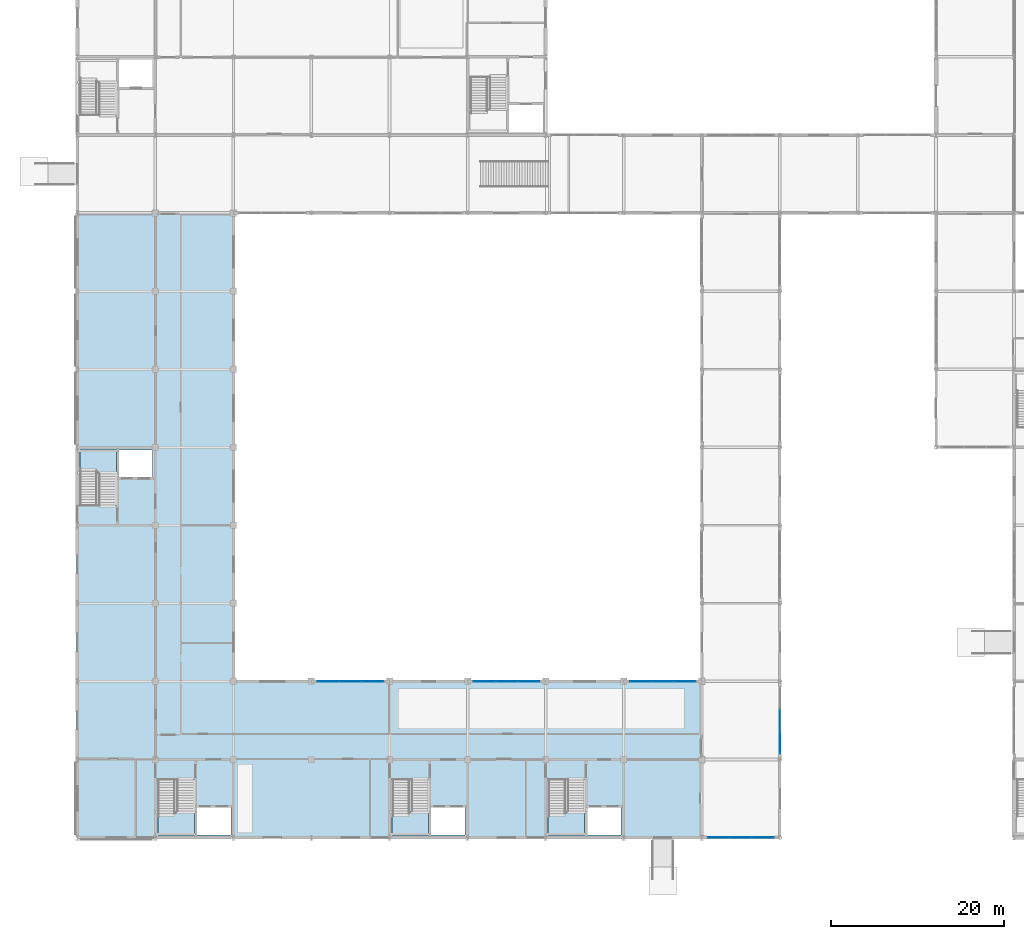
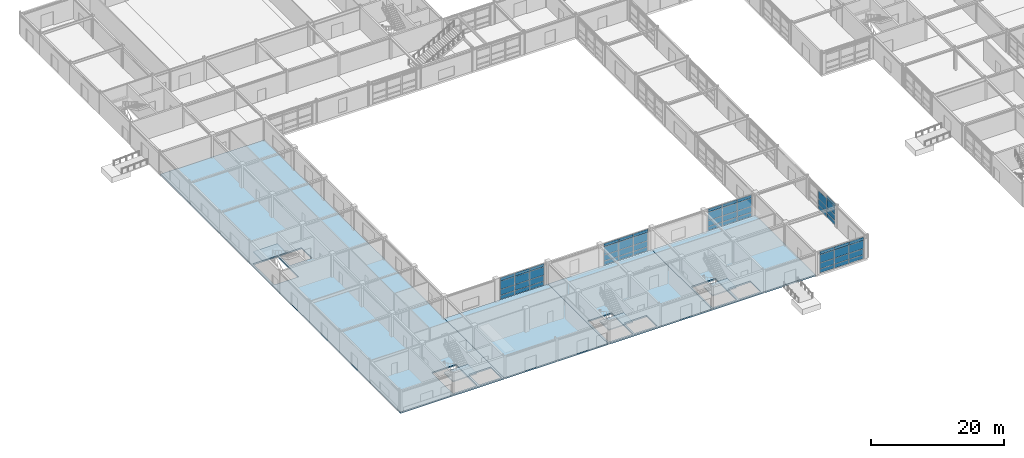
# One storey, part 46 of 72: 55 plates, 8 slabs, 5 elements without a shape of their own.
"""IFC4 building model written with IfcOpenShell, lengths in metres."""

from ifc_helpers import new_model, si_unit, direction, frame, origin, origin_2d, place, context, subcontext, project, spatial, polyline, rectangle, outline, extrude, material, layer, layer_set, type_object, element, aggregate, save


model = new_model("IFC4")

# Units and contexts
model_context = context("Model", 3, precision=1e-05, world=origin(), true_north=direction((0.0, 1.0)))
body_context = subcontext(model_context, "Body", "Model", "MODEL_VIEW")
ifc_project = project(units=[si_unit("LENGTHUNIT", "METRE"), si_unit("AREAUNIT", "SQUARE_METRE"), si_unit("VOLUMEUNIT", "CUBIC_METRE"), si_unit("PLANEANGLEUNIT", "RADIAN"), si_unit("MASSUNIT", "GRAM", prefix="KILO")], contexts=[model_context])

# Site, building, storey
site_placement = place(None, origin())
site = spatial("IfcSite", under=ifc_project, at=site_placement, CompositionType="ELEMENT")
building_placement = place(site_placement, origin())
building = spatial("IfcBuilding", under=site, at=building_placement, Name="Palais des Congres Ocreval", CompositionType="ELEMENT")
storey_placement = place(building_placement, origin())
storey = spatial("IfcBuildingStorey", under=building, at=storey_placement, Name="L00", CompositionType="ELEMENT", Elevation=0.0)

# Curtain wall, plates
ifc_material_1 = material(Name="Anodized bronze aluminium and low-E glass", Category="glass")
curtain_wall_type = type_object("IfcCurtainWallType", Name="Unitised Curtain Wall 7900x4060", PredefinedType="USERDEFINED", material=ifc_material_1)
curtain_wall_1_placement = place(storey_placement, origin())
curtain_wall_1 = element("IfcCurtainWall", 1, at=curtain_wall_1_placement, inside=storey, type_object=curtain_wall_type, Name="Unitised Curtain Wall CW01 L00", ObjectType="UNITISED CURTAIN WALL", PredefinedType="USERDEFINED")
ifc_material_2 = material(Name="Acoustic triple glazing", Category="glass")
ifc_layer_1 = layer(ifc_material_2, 0.0439453125)
ifc_layer_set_1 = layer_set([ifc_layer_1], Name="Acoustic Laminated Glazing Panel 44 (Acoustic triple glazing)")
plate_type_1 = type_object("IfcPlateType", Name="Acoustic Laminated Glazing Panel 44", PredefinedType="CURTAIN_PANEL", material=ifc_layer_set_1)
plate_1_placement = place(storey_placement, frame((28.9521484375, 18.0, 0.06005859375), z_axis=(0.0, 0.0, 1.0), x_axis=(1.0, 0.0, 0.0)))
plate_1 = element("IfcPlate", 2, at=plate_1_placement, type_object=plate_type_1, Name="Vision Glazing Panel VP02", PredefinedType="CURTAIN_PANEL", context=body_context, shape_type="SweptSolid", body=[
    extrude(rectangle(XDim=2.4541015625, YDim=0.0439453125, at=origin_2d()), origin(), (0.0, 0.0, 1.0), 0.68994140625),
])
plate_2_placement = place(storey_placement, frame((28.9521484375, 18.0, 0.81005859375), z_axis=(0.0, 0.0, 1.0), x_axis=(1.0, 0.0, 0.0)))
plate_2 = element("IfcPlate", 3, at=plate_2_placement, type_object=plate_type_1, Name="Vision Glazing Panel VP02", PredefinedType="CURTAIN_PANEL", context=body_context, shape_type="SweptSolid", body=[
    extrude(rectangle(XDim=2.4541015625, YDim=0.0439453125, at=origin_2d()), origin(), (0.0, 0.0, 1.0), 1.03271484375),
])
plate_3_placement = place(storey_placement, frame((28.9521484375, 18.0, 1.90283203125), z_axis=(0.0, 0.0, 1.0), x_axis=(1.0, 0.0, 0.0)))
plate_3 = element("IfcPlate", 4, at=plate_3_placement, type_object=plate_type_1, Name="Vision Glazing Panel VP02", PredefinedType="CURTAIN_PANEL", context=body_context, shape_type="SweptSolid", body=[
    extrude(rectangle(XDim=2.4541015625, YDim=0.0439453125, at=origin_2d()), origin(), (0.0, 0.0, 1.0), 1.47216796875),
])
plate_4_placement = place(storey_placement, frame((31.5, 18.0, 0.06005859375), z_axis=(0.0, 0.0, 1.0), x_axis=(1.0, 0.0, 0.0)))
plate_4 = element("IfcPlate", 5, at=plate_4_placement, type_object=plate_type_1, Name="Vision Glazing Panel VP02", PredefinedType="CURTAIN_PANEL", context=body_context, shape_type="SweptSolid", body=[
    extrude(rectangle(XDim=2.49169921875, YDim=0.0439453125, at=origin_2d()), origin(), (0.0, 0.0, 1.0), 0.68994140625),
])
plate_5_placement = place(storey_placement, frame((31.5, 18.0, 0.81005859375), z_axis=(0.0, 0.0, 1.0), x_axis=(1.0, 0.0, 0.0)))
plate_5 = element("IfcPlate", 6, at=plate_5_placement, type_object=plate_type_1, Name="Vision Glazing Panel VP02", PredefinedType="CURTAIN_PANEL", context=body_context, shape_type="SweptSolid", body=[
    extrude(rectangle(XDim=2.49169921875, YDim=0.0439453125, at=origin_2d()), origin(), (0.0, 0.0, 1.0), 1.03271484375),
])
plate_6_placement = place(storey_placement, frame((31.5, 18.0, 1.90283203125), z_axis=(0.0, 0.0, 1.0), x_axis=(1.0, 0.0, 0.0)))
plate_6 = element("IfcPlate", 7, at=plate_6_placement, type_object=plate_type_1, Name="Vision Glazing Panel VP02", PredefinedType="CURTAIN_PANEL", context=body_context, shape_type="SweptSolid", body=[
    extrude(rectangle(XDim=2.49169921875, YDim=0.0439453125, at=origin_2d()), origin(), (0.0, 0.0, 1.0), 1.47216796875),
])
plate_7_placement = place(storey_placement, frame((34.0478515625, 18.0, 0.06005859375), z_axis=(0.0, 0.0, 1.0), x_axis=(1.0, 0.0, 0.0)))
plate_7 = element("IfcPlate", 8, at=plate_7_placement, type_object=plate_type_1, Name="Vision Glazing Panel VP02", PredefinedType="CURTAIN_PANEL", context=body_context, shape_type="SweptSolid", body=[
    extrude(rectangle(XDim=2.4541015625, YDim=0.0439453125, at=origin_2d()), origin(), (0.0, 0.0, 1.0), 0.68994140625),
])
plate_8_placement = place(storey_placement, frame((34.0478515625, 18.0, 0.81005859375), z_axis=(0.0, 0.0, 1.0), x_axis=(1.0, 0.0, 0.0)))
plate_8 = element("IfcPlate", 9, at=plate_8_placement, type_object=plate_type_1, Name="Vision Glazing Panel VP02", PredefinedType="CURTAIN_PANEL", context=body_context, shape_type="SweptSolid", body=[
    extrude(rectangle(XDim=2.4541015625, YDim=0.0439453125, at=origin_2d()), origin(), (0.0, 0.0, 1.0), 1.03271484375),
])
plate_9_placement = place(storey_placement, frame((34.0478515625, 18.0, 1.90283203125), z_axis=(0.0, 0.0, 1.0), x_axis=(1.0, 0.0, 0.0)))
plate_9 = element("IfcPlate", 10, at=plate_9_placement, type_object=plate_type_1, Name="Vision Glazing Panel VP02", PredefinedType="CURTAIN_PANEL", context=body_context, shape_type="SweptSolid", body=[
    extrude(rectangle(XDim=2.4541015625, YDim=0.0439453125, at=origin_2d()), origin(), (0.0, 0.0, 1.0), 1.47216796875),
])

# Curtain wall, plate
curtain_wall_2_placement = place(storey_placement, origin())
curtain_wall_2 = element("IfcCurtainWall", 11, at=curtain_wall_2_placement, inside=storey, type_object=curtain_wall_type, Name="Unitised Curtain Wall CW01 L00", ObjectType="UNITISED CURTAIN WALL", PredefinedType="USERDEFINED")
ifc_material_3 = material(Name="Anodized bronze aluminium", Category="aluminium")
ifc_layer_2 = layer(ifc_material_3, 0.06005859375)
ifc_layer_set_2 = layer_set([ifc_layer_2], Name="Anodized Bronze Spandrel Cassette 60 (Anodized bronze aluminium)")
plate_type_2 = type_object("IfcPlateType", Name="Anodized Bronze Spandrel Cassette 60", PredefinedType="SHEET", material=ifc_layer_set_2)
plate_10_placement = place(storey_placement, frame((81.0, 10.9521484375, 3.43505859375), z_axis=(0.0, 0.0, 1.0), x_axis=(0.0, -1.0, 0.0)))
plate_10 = element("IfcPlate", 12, at=plate_10_placement, type_object=plate_type_2, Name="Spandrel Sheet SPN1", PredefinedType="SHEET", context=body_context, shape_type="SweptSolid", body=[
    extrude(rectangle(XDim=2.4541015625, YDim=0.06005859375, at=origin_2d()), origin(), (0.0, 0.0, 1.0), 0.56005859375),
])

# Plate
plate_11_placement = place(storey_placement, frame((28.9521484375, 18.0, 3.43505859375), z_axis=(0.0, 0.0, 1.0), x_axis=(1.0, 0.0, 0.0)))
plate_11 = element("IfcPlate", 13, at=plate_11_placement, type_object=plate_type_2, Name="Spandrel Sheet SPN1", PredefinedType="SHEET", context=body_context, shape_type="SweptSolid", body=[
    extrude(rectangle(XDim=2.4541015625, YDim=0.06005859375, at=origin_2d()), origin(), (0.0, 0.0, 1.0), 0.56005859375),
])

plate_12_placement = place(storey_placement, frame((31.5, 18.0, 3.43505859375), z_axis=(0.0, 0.0, 1.0), x_axis=(1.0, 0.0, 0.0)))
plate_12 = element("IfcPlate", 14, at=plate_12_placement, type_object=plate_type_2, Name="Spandrel Sheet SPN1", PredefinedType="SHEET", context=body_context, shape_type="SweptSolid", body=[
    extrude(rectangle(XDim=2.49169921875, YDim=0.06005859375, at=origin_2d()), origin(), (0.0, 0.0, 1.0), 0.56005859375),
])

plate_13_placement = place(storey_placement, frame((34.0478515625, 18.0, 3.43505859375), z_axis=(0.0, 0.0, 1.0), x_axis=(1.0, 0.0, 0.0)))
plate_13 = element("IfcPlate", 15, at=plate_13_placement, type_object=plate_type_2, Name="Spandrel Sheet SPN1", PredefinedType="SHEET", context=body_context, shape_type="SweptSolid", body=[
    extrude(rectangle(XDim=2.4541015625, YDim=0.06005859375, at=origin_2d()), origin(), (0.0, 0.0, 1.0), 0.56005859375),
])

aggregate(curtain_wall_1, [plate_1, plate_2, plate_3, plate_11, plate_4, plate_5, plate_6, plate_12, plate_7, plate_8, plate_9, plate_13])

# Curtain wall, plates
curtain_wall_3_placement = place(storey_placement, origin())
curtain_wall_3 = element("IfcCurtainWall", 16, at=curtain_wall_3_placement, inside=storey, type_object=curtain_wall_type, Name="Unitised Curtain Wall CW01 L00", ObjectType="UNITISED CURTAIN WALL", PredefinedType="USERDEFINED")
plate_14_placement = place(storey_placement, frame((64.9521484375, 18.0, 3.43505859375), z_axis=(0.0, 0.0, 1.0), x_axis=(1.0, 0.0, 0.0)))
plate_14 = element("IfcPlate", 17, at=plate_14_placement, type_object=plate_type_2, Name="Spandrel Sheet SPN1", PredefinedType="SHEET", context=body_context, shape_type="SweptSolid", body=[
    extrude(rectangle(XDim=2.4541015625, YDim=0.06005859375, at=origin_2d()), origin(), (0.0, 0.0, 1.0), 0.56005859375),
])
plate_15_placement = place(storey_placement, frame((67.5, 18.0, 3.43505859375), z_axis=(0.0, 0.0, 1.0), x_axis=(1.0, 0.0, 0.0)))
plate_15 = element("IfcPlate", 18, at=plate_15_placement, type_object=plate_type_2, Name="Spandrel Sheet SPN1", PredefinedType="SHEET", context=body_context, shape_type="SweptSolid", body=[
    extrude(rectangle(XDim=2.49169921875, YDim=0.06005859375, at=origin_2d()), origin(), (0.0, 0.0, 1.0), 0.56005859375),
])
plate_16_placement = place(storey_placement, frame((70.0478515625, 18.0, 3.43505859375), z_axis=(0.0, 0.0, 1.0), x_axis=(1.0, 0.0, 0.0)))
plate_16 = element("IfcPlate", 19, at=plate_16_placement, type_object=plate_type_2, Name="Spandrel Sheet SPN1", PredefinedType="SHEET", context=body_context, shape_type="SweptSolid", body=[
    extrude(rectangle(XDim=2.4541015625, YDim=0.06005859375, at=origin_2d()), origin(), (0.0, 0.0, 1.0), 0.56005859375),
])

# Plate
ifc_material_4 = material(Name="Low-E solar-control double glazing", Category="glass")
ifc_layer_3 = layer(ifc_material_4, 0.031982421875)
ifc_layer_set_3 = layer_set([ifc_layer_3], Name="Galleria Clear Vision Panel 32 (Low-E solar-control double glazing)")
plate_type_3 = type_object("IfcPlateType", Name="Galleria Clear Vision Panel 32", PredefinedType="CURTAIN_PANEL", material=ifc_layer_set_3)
plate_17_placement = place(storey_placement, frame((81.0, 13.5, 0.06005859375), z_axis=(0.0, 0.0, 1.0), x_axis=(0.0, -1.0, 0.0)))
plate_17 = element("IfcPlate", 20, at=plate_17_placement, type_object=plate_type_3, Name="Vision Glazing Panel VP03", PredefinedType="CURTAIN_PANEL", context=body_context, shape_type="SweptSolid", body=[
    extrude(rectangle(XDim=2.49169921875, YDim=0.031982421875, at=origin_2d()), origin(), (0.0, 0.0, 1.0), 0.68994140625),
])

plate_18_placement = place(storey_placement, frame((81.0, 13.5, 0.81005859375), z_axis=(0.0, 0.0, 1.0), x_axis=(0.0, -1.0, 0.0)))
plate_18 = element("IfcPlate", 21, at=plate_18_placement, type_object=plate_type_3, Name="Vision Glazing Panel VP03", PredefinedType="CURTAIN_PANEL", context=body_context, shape_type="SweptSolid", body=[
    extrude(rectangle(XDim=2.49169921875, YDim=0.031982421875, at=origin_2d()), origin(), (0.0, 0.0, 1.0), 1.03271484375),
])

plate_19_placement = place(storey_placement, frame((81.0, 13.5, 1.90283203125), z_axis=(0.0, 0.0, 1.0), x_axis=(0.0, -1.0, 0.0)))
plate_19 = element("IfcPlate", 22, at=plate_19_placement, type_object=plate_type_3, Name="Vision Glazing Panel VP03", PredefinedType="CURTAIN_PANEL", context=body_context, shape_type="SweptSolid", body=[
    extrude(rectangle(XDim=2.49169921875, YDim=0.031982421875, at=origin_2d()), origin(), (0.0, 0.0, 1.0), 1.47216796875),
])

plate_20_placement = place(storey_placement, frame((81.0, 10.9521484375, 0.06005859375), z_axis=(0.0, 0.0, 1.0), x_axis=(0.0, -1.0, 0.0)))
plate_20 = element("IfcPlate", 23, at=plate_20_placement, type_object=plate_type_3, Name="Vision Glazing Panel VP03", PredefinedType="CURTAIN_PANEL", context=body_context, shape_type="SweptSolid", body=[
    extrude(rectangle(XDim=2.4541015625, YDim=0.031982421875, at=origin_2d()), origin(), (0.0, 0.0, 1.0), 0.68994140625),
])

plate_21_placement = place(storey_placement, frame((81.0, 10.9521484375, 0.81005859375), z_axis=(0.0, 0.0, 1.0), x_axis=(0.0, -1.0, 0.0)))
plate_21 = element("IfcPlate", 24, at=plate_21_placement, type_object=plate_type_3, Name="Vision Glazing Panel VP03", PredefinedType="CURTAIN_PANEL", context=body_context, shape_type="SweptSolid", body=[
    extrude(rectangle(XDim=2.4541015625, YDim=0.031982421875, at=origin_2d()), origin(), (0.0, 0.0, 1.0), 1.03271484375),
])

plate_22_placement = place(storey_placement, frame((81.0, 10.9521484375, 1.90283203125), z_axis=(0.0, 0.0, 1.0), x_axis=(0.0, -1.0, 0.0)))
plate_22 = element("IfcPlate", 25, at=plate_22_placement, type_object=plate_type_3, Name="Vision Glazing Panel VP03", PredefinedType="CURTAIN_PANEL", context=body_context, shape_type="SweptSolid", body=[
    extrude(rectangle(XDim=2.4541015625, YDim=0.031982421875, at=origin_2d()), origin(), (0.0, 0.0, 1.0), 1.47216796875),
])

aggregate(curtain_wall_2, [plate_17, plate_18, plate_19, plate_20, plate_21, plate_22, plate_10])

# Curtain wall, plates
curtain_wall_4_placement = place(storey_placement, origin())
curtain_wall_4 = element("IfcCurtainWall", 26, at=curtain_wall_4_placement, inside=storey, type_object=curtain_wall_type, Name="Unitised Curtain Wall CW01 L00", ObjectType="UNITISED CURTAIN WALL", PredefinedType="USERDEFINED")
plate_23_placement = place(storey_placement, frame((46.9521484375, 18.0, 0.06005859375), z_axis=(0.0, 0.0, 1.0), x_axis=(1.0, 0.0, 0.0)))
plate_23 = element("IfcPlate", 27, at=plate_23_placement, type_object=plate_type_3, Name="Vision Glazing Panel VP03", PredefinedType="CURTAIN_PANEL", context=body_context, shape_type="SweptSolid", body=[
    extrude(rectangle(XDim=2.4541015625, YDim=0.031982421875, at=origin_2d()), origin(), (0.0, 0.0, 1.0), 0.68994140625),
])
plate_24_placement = place(storey_placement, frame((46.9521484375, 18.0, 0.81005859375), z_axis=(0.0, 0.0, 1.0), x_axis=(1.0, 0.0, 0.0)))
plate_24 = element("IfcPlate", 28, at=plate_24_placement, type_object=plate_type_3, Name="Vision Glazing Panel VP03", PredefinedType="CURTAIN_PANEL", context=body_context, shape_type="SweptSolid", body=[
    extrude(rectangle(XDim=2.4541015625, YDim=0.031982421875, at=origin_2d()), origin(), (0.0, 0.0, 1.0), 1.03271484375),
])
plate_25_placement = place(storey_placement, frame((46.9521484375, 18.0, 1.90283203125), z_axis=(0.0, 0.0, 1.0), x_axis=(1.0, 0.0, 0.0)))
plate_25 = element("IfcPlate", 29, at=plate_25_placement, type_object=plate_type_3, Name="Vision Glazing Panel VP03", PredefinedType="CURTAIN_PANEL", context=body_context, shape_type="SweptSolid", body=[
    extrude(rectangle(XDim=2.4541015625, YDim=0.031982421875, at=origin_2d()), origin(), (0.0, 0.0, 1.0), 1.47216796875),
])
plate_26_placement = place(storey_placement, frame((49.5, 18.0, 0.06005859375), z_axis=(0.0, 0.0, 1.0), x_axis=(1.0, 0.0, 0.0)))
plate_26 = element("IfcPlate", 30, at=plate_26_placement, type_object=plate_type_3, Name="Vision Glazing Panel VP03", PredefinedType="CURTAIN_PANEL", context=body_context, shape_type="SweptSolid", body=[
    extrude(rectangle(XDim=2.49169921875, YDim=0.031982421875, at=origin_2d()), origin(), (0.0, 0.0, 1.0), 0.68994140625),
])
plate_27_placement = place(storey_placement, frame((49.5, 18.0, 0.81005859375), z_axis=(0.0, 0.0, 1.0), x_axis=(1.0, 0.0, 0.0)))
plate_27 = element("IfcPlate", 31, at=plate_27_placement, type_object=plate_type_3, Name="Vision Glazing Panel VP03", PredefinedType="CURTAIN_PANEL", context=body_context, shape_type="SweptSolid", body=[
    extrude(rectangle(XDim=2.49169921875, YDim=0.031982421875, at=origin_2d()), origin(), (0.0, 0.0, 1.0), 1.03271484375),
])
plate_28_placement = place(storey_placement, frame((49.5, 18.0, 1.90283203125), z_axis=(0.0, 0.0, 1.0), x_axis=(1.0, 0.0, 0.0)))
plate_28 = element("IfcPlate", 32, at=plate_28_placement, type_object=plate_type_3, Name="Vision Glazing Panel VP03", PredefinedType="CURTAIN_PANEL", context=body_context, shape_type="SweptSolid", body=[
    extrude(rectangle(XDim=2.49169921875, YDim=0.031982421875, at=origin_2d()), origin(), (0.0, 0.0, 1.0), 1.47216796875),
])
plate_29_placement = place(storey_placement, frame((52.0478515625, 18.0, 0.06005859375), z_axis=(0.0, 0.0, 1.0), x_axis=(1.0, 0.0, 0.0)))
plate_29 = element("IfcPlate", 33, at=plate_29_placement, type_object=plate_type_3, Name="Vision Glazing Panel VP03", PredefinedType="CURTAIN_PANEL", context=body_context, shape_type="SweptSolid", body=[
    extrude(rectangle(XDim=2.4541015625, YDim=0.031982421875, at=origin_2d()), origin(), (0.0, 0.0, 1.0), 0.68994140625),
])
plate_30_placement = place(storey_placement, frame((52.0478515625, 18.0, 0.81005859375), z_axis=(0.0, 0.0, 1.0), x_axis=(1.0, 0.0, 0.0)))
plate_30 = element("IfcPlate", 34, at=plate_30_placement, type_object=plate_type_3, Name="Vision Glazing Panel VP03", PredefinedType="CURTAIN_PANEL", context=body_context, shape_type="SweptSolid", body=[
    extrude(rectangle(XDim=2.4541015625, YDim=0.031982421875, at=origin_2d()), origin(), (0.0, 0.0, 1.0), 1.03271484375),
])
plate_31_placement = place(storey_placement, frame((52.0478515625, 18.0, 1.90283203125), z_axis=(0.0, 0.0, 1.0), x_axis=(1.0, 0.0, 0.0)))
plate_31 = element("IfcPlate", 35, at=plate_31_placement, type_object=plate_type_3, Name="Vision Glazing Panel VP03", PredefinedType="CURTAIN_PANEL", context=body_context, shape_type="SweptSolid", body=[
    extrude(rectangle(XDim=2.4541015625, YDim=0.031982421875, at=origin_2d()), origin(), (0.0, 0.0, 1.0), 1.47216796875),
])

# Slabs
ifc_material_5 = material(Name="Concrete C40/50", Category="concrete")
ifc_layer_4 = layer(ifc_material_5, 0.260009765625)
ifc_layer_set_4 = layer_set([ifc_layer_4], Name="Ground Podium Slab 260 Concrete C40/50")
slab_type_1 = type_object("IfcSlabType", Name="Ground Podium Slab 260 Concrete C40/50", PredefinedType="FLOOR", material=ifc_layer_set_4)
slab_1_placement = place(storey_placement, frame((0.0, 0.0, -0.260009765625)))
element("IfcSlab", 36, at=slab_1_placement, inside=storey, type_object=slab_type_1, Name="Floor Slab SL08 L00 V4-1", PredefinedType="FLOOR", context=body_context, shape_type="SweptSolid", body=[
    extrude(outline(polyline([(0.0, 0.0), (0.0, 18.0), (0.0, 72.0), (18.0, 72.0), (18.0, 18.0), (18.0, 0.0), (0.0, 0.0)]), holes=[polyline([(13.800048828125, 3.449951171875), (13.800048828125, 0.300048828125), (17.699951171875, 0.300048828125), (17.699951171875, 3.449951171875), (13.800048828125, 3.449951171875)]), polyline([(9.300048828125, 6.64990234375), (9.300048828125, 0.300048828125), (13.5, 0.300048828125), (13.5, 6.64990234375), (9.300048828125, 6.64990234375)]), polyline([(0.300048828125, 44.699951171875), (0.300048828125, 38.35009765625), (4.5, 38.35009765625), (4.5, 44.699951171875), (0.300048828125, 44.699951171875)]), polyline([(4.800048828125, 44.699951171875), (4.800048828125, 41.550048828125), (8.699951171875, 41.550048828125), (8.699951171875, 44.699951171875), (4.800048828125, 44.699951171875)])]), origin(), (0.0, 0.0, 1.0), 0.260009765625),
])
slab_2_placement = place(storey_placement, frame((0.0, 0.0, -0.260009765625)))
element("IfcSlab", 37, at=slab_2_placement, inside=storey, type_object=slab_type_1, Name="Floor Slab SL08 L00 V4-2", PredefinedType="FLOOR", context=body_context, shape_type="SweptSolid", body=[
    extrude(outline(polyline([(18.0, 0.0), (18.0, 18.0), (36.0, 18.0), (36.0, 0.0), (18.0, 0.0)])), origin(), (0.0, 0.0, 1.0), 0.260009765625),
])
slab_3_placement = place(storey_placement, frame((0.0, 0.0, -0.260009765625)))
element("IfcSlab", 38, at=slab_3_placement, inside=storey, type_object=slab_type_1, Name="Floor Slab SL08 L00 V4-3", PredefinedType="FLOOR", context=body_context, shape_type="SweptSolid", body=[
    extrude(outline(polyline([(36.0, 0.0), (36.0, 18.0), (54.0, 18.0), (54.0, 0.0), (36.0, 0.0)]), holes=[polyline([(40.800048828125, 3.449951171875), (40.800048828125, 0.300048828125), (44.699951171875, 0.300048828125), (44.699951171875, 3.449951171875), (40.800048828125, 3.449951171875)]), polyline([(40.5, 6.64990234375), (36.300048828125, 6.64990234375), (36.300048828125, 0.300048828125), (40.5, 0.300048828125), (40.5, 6.64990234375)])]), origin(), (0.0, 0.0, 1.0), 0.260009765625),
])
slab_4_placement = place(storey_placement, frame((0.0, 0.0, -0.260009765625)))
element("IfcSlab", 39, at=slab_4_placement, inside=storey, type_object=slab_type_1, Name="Floor Slab SL08 L00 V4-4", PredefinedType="FLOOR", context=body_context, shape_type="SweptSolid", body=[
    extrude(outline(polyline([(54.0, 0.0), (54.0, 18.0), (72.0, 18.0), (72.0, 0.0), (54.0, 0.0)]), holes=[polyline([(58.5, 6.64990234375), (54.300048828125, 6.64990234375), (54.300048828125, 0.300048828125), (58.5, 0.300048828125), (58.5, 6.64990234375)]), polyline([(58.800048828125, 3.449951171875), (58.800048828125, 0.300048828125), (62.699951171875, 0.300048828125), (62.699951171875, 3.449951171875), (58.800048828125, 3.449951171875)])]), origin(), (0.0, 0.0, 1.0), 0.260009765625),
])

# Curtain wall, plates
curtain_wall_5_placement = place(storey_placement, origin())
curtain_wall_5 = element("IfcCurtainWall", 40, at=curtain_wall_5_placement, inside=storey, type_object=curtain_wall_type, Name="Unitised Curtain Wall CW01 L00", ObjectType="UNITISED CURTAIN WALL", PredefinedType="USERDEFINED")
ifc_layer_5 = layer(ifc_material_4, 0.035888671875)
ifc_layer_set_5 = layer_set([ifc_layer_5], Name="Low-E Vision Glazing Panel 36 (Low-E solar-control double glazing)")
plate_type_4 = type_object("IfcPlateType", Name="Low-E Vision Glazing Panel 36", PredefinedType="CURTAIN_PANEL", material=ifc_layer_set_5)
plate_32_placement = place(storey_placement, frame((79.0478515625, 0.0, 0.06005859375), z_axis=(0.0, 0.0, 1.0), x_axis=(-1.0, 0.0, 0.0)))
plate_32 = element("IfcPlate", 41, at=plate_32_placement, type_object=plate_type_4, Name="Vision Glazing Panel VP01", PredefinedType="CURTAIN_PANEL", context=body_context, shape_type="SweptSolid", body=[
    extrude(rectangle(XDim=2.4541015625, YDim=0.035888671875, at=origin_2d()), origin(), (0.0, 0.0, 1.0), 0.68994140625),
])
plate_33_placement = place(storey_placement, frame((79.0478515625, 0.0, 0.81005859375), z_axis=(0.0, 0.0, 1.0), x_axis=(-1.0, 0.0, 0.0)))
plate_33 = element("IfcPlate", 42, at=plate_33_placement, type_object=plate_type_4, Name="Vision Glazing Panel VP01", PredefinedType="CURTAIN_PANEL", context=body_context, shape_type="SweptSolid", body=[
    extrude(rectangle(XDim=2.4541015625, YDim=0.035888671875, at=origin_2d()), origin(), (0.0, 0.0, 1.0), 1.03271484375),
])
plate_34_placement = place(storey_placement, frame((79.0478515625, 0.0, 1.90283203125), z_axis=(0.0, 0.0, 1.0), x_axis=(-1.0, 0.0, 0.0)))
plate_34 = element("IfcPlate", 43, at=plate_34_placement, type_object=plate_type_4, Name="Vision Glazing Panel VP01", PredefinedType="CURTAIN_PANEL", context=body_context, shape_type="SweptSolid", body=[
    extrude(rectangle(XDim=2.4541015625, YDim=0.035888671875, at=origin_2d()), origin(), (0.0, 0.0, 1.0), 1.47216796875),
])
plate_35_placement = place(storey_placement, frame((76.5, 0.0, 0.06005859375), z_axis=(0.0, 0.0, 1.0), x_axis=(-1.0, 0.0, 0.0)))
plate_35 = element("IfcPlate", 44, at=plate_35_placement, type_object=plate_type_4, Name="Vision Glazing Panel VP01", PredefinedType="CURTAIN_PANEL", context=body_context, shape_type="SweptSolid", body=[
    extrude(rectangle(XDim=2.49169921875, YDim=0.035888671875, at=origin_2d()), origin(), (0.0, 0.0, 1.0), 0.68994140625),
])
plate_36_placement = place(storey_placement, frame((76.5, 0.0, 0.81005859375), z_axis=(0.0, 0.0, 1.0), x_axis=(-1.0, 0.0, 0.0)))
plate_36 = element("IfcPlate", 45, at=plate_36_placement, type_object=plate_type_4, Name="Vision Glazing Panel VP01", PredefinedType="CURTAIN_PANEL", context=body_context, shape_type="SweptSolid", body=[
    extrude(rectangle(XDim=2.49169921875, YDim=0.035888671875, at=origin_2d()), origin(), (0.0, 0.0, 1.0), 1.03271484375),
])
plate_37_placement = place(storey_placement, frame((76.5, 0.0, 1.90283203125), z_axis=(0.0, 0.0, 1.0), x_axis=(-1.0, 0.0, 0.0)))
plate_37 = element("IfcPlate", 46, at=plate_37_placement, type_object=plate_type_4, Name="Vision Glazing Panel VP01", PredefinedType="CURTAIN_PANEL", context=body_context, shape_type="SweptSolid", body=[
    extrude(rectangle(XDim=2.49169921875, YDim=0.035888671875, at=origin_2d()), origin(), (0.0, 0.0, 1.0), 1.47216796875),
])
plate_38_placement = place(storey_placement, frame((73.9521484375, 0.0, 0.06005859375), z_axis=(0.0, 0.0, 1.0), x_axis=(-1.0, 0.0, 0.0)))
plate_38 = element("IfcPlate", 47, at=plate_38_placement, type_object=plate_type_4, Name="Vision Glazing Panel VP01", PredefinedType="CURTAIN_PANEL", context=body_context, shape_type="SweptSolid", body=[
    extrude(rectangle(XDim=2.4541015625, YDim=0.035888671875, at=origin_2d()), origin(), (0.0, 0.0, 1.0), 0.68994140625),
])
plate_39_placement = place(storey_placement, frame((73.9521484375, 0.0, 0.81005859375), z_axis=(0.0, 0.0, 1.0), x_axis=(-1.0, 0.0, 0.0)))
plate_39 = element("IfcPlate", 48, at=plate_39_placement, type_object=plate_type_4, Name="Vision Glazing Panel VP01", PredefinedType="CURTAIN_PANEL", context=body_context, shape_type="SweptSolid", body=[
    extrude(rectangle(XDim=2.4541015625, YDim=0.035888671875, at=origin_2d()), origin(), (0.0, 0.0, 1.0), 1.03271484375),
])
plate_40_placement = place(storey_placement, frame((73.9521484375, 0.0, 1.90283203125), z_axis=(0.0, 0.0, 1.0), x_axis=(-1.0, 0.0, 0.0)))
plate_40 = element("IfcPlate", 49, at=plate_40_placement, type_object=plate_type_4, Name="Vision Glazing Panel VP01", PredefinedType="CURTAIN_PANEL", context=body_context, shape_type="SweptSolid", body=[
    extrude(rectangle(XDim=2.4541015625, YDim=0.035888671875, at=origin_2d()), origin(), (0.0, 0.0, 1.0), 1.47216796875),
])

# Plate
plate_41_placement = place(storey_placement, frame((64.9521484375, 18.0, 0.06005859375), z_axis=(0.0, 0.0, 1.0), x_axis=(1.0, 0.0, 0.0)))
plate_41 = element("IfcPlate", 50, at=plate_41_placement, type_object=plate_type_4, Name="Vision Glazing Panel VP01", PredefinedType="CURTAIN_PANEL", context=body_context, shape_type="SweptSolid", body=[
    extrude(rectangle(XDim=2.4541015625, YDim=0.035888671875, at=origin_2d()), origin(), (0.0, 0.0, 1.0), 0.68994140625),
])

plate_42_placement = place(storey_placement, frame((64.9521484375, 18.0, 0.81005859375), z_axis=(0.0, 0.0, 1.0), x_axis=(1.0, 0.0, 0.0)))
plate_42 = element("IfcPlate", 51, at=plate_42_placement, type_object=plate_type_4, Name="Vision Glazing Panel VP01", PredefinedType="CURTAIN_PANEL", context=body_context, shape_type="SweptSolid", body=[
    extrude(rectangle(XDim=2.4541015625, YDim=0.035888671875, at=origin_2d()), origin(), (0.0, 0.0, 1.0), 1.03271484375),
])

plate_43_placement = place(storey_placement, frame((64.9521484375, 18.0, 1.90283203125), z_axis=(0.0, 0.0, 1.0), x_axis=(1.0, 0.0, 0.0)))
plate_43 = element("IfcPlate", 52, at=plate_43_placement, type_object=plate_type_4, Name="Vision Glazing Panel VP01", PredefinedType="CURTAIN_PANEL", context=body_context, shape_type="SweptSolid", body=[
    extrude(rectangle(XDim=2.4541015625, YDim=0.035888671875, at=origin_2d()), origin(), (0.0, 0.0, 1.0), 1.47216796875),
])

plate_44_placement = place(storey_placement, frame((67.5, 18.0, 0.06005859375), z_axis=(0.0, 0.0, 1.0), x_axis=(1.0, 0.0, 0.0)))
plate_44 = element("IfcPlate", 53, at=plate_44_placement, type_object=plate_type_4, Name="Vision Glazing Panel VP01", PredefinedType="CURTAIN_PANEL", context=body_context, shape_type="SweptSolid", body=[
    extrude(rectangle(XDim=2.49169921875, YDim=0.035888671875, at=origin_2d()), origin(), (0.0, 0.0, 1.0), 0.68994140625),
])

plate_45_placement = place(storey_placement, frame((67.5, 18.0, 0.81005859375), z_axis=(0.0, 0.0, 1.0), x_axis=(1.0, 0.0, 0.0)))
plate_45 = element("IfcPlate", 54, at=plate_45_placement, type_object=plate_type_4, Name="Vision Glazing Panel VP01", PredefinedType="CURTAIN_PANEL", context=body_context, shape_type="SweptSolid", body=[
    extrude(rectangle(XDim=2.49169921875, YDim=0.035888671875, at=origin_2d()), origin(), (0.0, 0.0, 1.0), 1.03271484375),
])

plate_46_placement = place(storey_placement, frame((67.5, 18.0, 1.90283203125), z_axis=(0.0, 0.0, 1.0), x_axis=(1.0, 0.0, 0.0)))
plate_46 = element("IfcPlate", 55, at=plate_46_placement, type_object=plate_type_4, Name="Vision Glazing Panel VP01", PredefinedType="CURTAIN_PANEL", context=body_context, shape_type="SweptSolid", body=[
    extrude(rectangle(XDim=2.49169921875, YDim=0.035888671875, at=origin_2d()), origin(), (0.0, 0.0, 1.0), 1.47216796875),
])

plate_47_placement = place(storey_placement, frame((70.0478515625, 18.0, 0.06005859375), z_axis=(0.0, 0.0, 1.0), x_axis=(1.0, 0.0, 0.0)))
plate_47 = element("IfcPlate", 56, at=plate_47_placement, type_object=plate_type_4, Name="Vision Glazing Panel VP01", PredefinedType="CURTAIN_PANEL", context=body_context, shape_type="SweptSolid", body=[
    extrude(rectangle(XDim=2.4541015625, YDim=0.035888671875, at=origin_2d()), origin(), (0.0, 0.0, 1.0), 0.68994140625),
])

plate_48_placement = place(storey_placement, frame((70.0478515625, 18.0, 0.81005859375), z_axis=(0.0, 0.0, 1.0), x_axis=(1.0, 0.0, 0.0)))
plate_48 = element("IfcPlate", 57, at=plate_48_placement, type_object=plate_type_4, Name="Vision Glazing Panel VP01", PredefinedType="CURTAIN_PANEL", context=body_context, shape_type="SweptSolid", body=[
    extrude(rectangle(XDim=2.4541015625, YDim=0.035888671875, at=origin_2d()), origin(), (0.0, 0.0, 1.0), 1.03271484375),
])

plate_49_placement = place(storey_placement, frame((70.0478515625, 18.0, 1.90283203125), z_axis=(0.0, 0.0, 1.0), x_axis=(1.0, 0.0, 0.0)))
plate_49 = element("IfcPlate", 58, at=plate_49_placement, type_object=plate_type_4, Name="Vision Glazing Panel VP01", PredefinedType="CURTAIN_PANEL", context=body_context, shape_type="SweptSolid", body=[
    extrude(rectangle(XDim=2.4541015625, YDim=0.035888671875, at=origin_2d()), origin(), (0.0, 0.0, 1.0), 1.47216796875),
])

aggregate(curtain_wall_3, [plate_41, plate_42, plate_43, plate_14, plate_44, plate_45, plate_46, plate_15, plate_47, plate_48, plate_49, plate_16])

# Slabs
ifc_layer_6 = layer(ifc_material_5, 0.199951171875)
ifc_layer_set_6 = layer_set([ifc_layer_6], Name="Stair and Ramp Landing Slab 200 Concrete C40/50")
slab_type_2 = type_object("IfcSlabType", Name="Stair and Ramp Landing Slab 200 Concrete C40/50", PredefinedType="LANDING", material=ifc_layer_set_6)
slab_5_placement = place(storey_placement, frame((0.0, 0.0, 2.0400390625)))
element("IfcSlab", 59, at=slab_5_placement, inside=storey, type_object=slab_type_2, Name="Stair Half-Landing ST01 L00", PredefinedType="LANDING", context=body_context, shape_type="SweptSolid", body=[
    extrude(outline(polyline([(9.300048828125, 0.300048828125), (13.5, 0.300048828125), (13.5, 3.050048828125), (9.300048828125, 3.050048828125), (9.300048828125, 0.300048828125)])), origin(), (0.0, 0.0, 1.0), 0.199951171875),
])
slab_6_placement = place(storey_placement, frame((0.0, 0.0, 2.0400390625)))
element("IfcSlab", 60, at=slab_6_placement, inside=storey, type_object=slab_type_2, Name="Stair Half-Landing ST02 L00", PredefinedType="LANDING", context=body_context, shape_type="SweptSolid", body=[
    extrude(outline(polyline([(36.300048828125, 0.300048828125), (40.5, 0.300048828125), (40.5, 3.050048828125), (36.300048828125, 3.050048828125), (36.300048828125, 0.300048828125)])), origin(), (0.0, 0.0, 1.0), 0.199951171875),
])
slab_7_placement = place(storey_placement, frame((0.0, 0.0, 2.0400390625)))
element("IfcSlab", 61, at=slab_7_placement, inside=storey, type_object=slab_type_2, Name="Stair Half-Landing ST03 L00", PredefinedType="LANDING", context=body_context, shape_type="SweptSolid", body=[
    extrude(outline(polyline([(0.300048828125, 41.949951171875), (4.5, 41.949951171875), (4.5, 44.699951171875), (0.300048828125, 44.699951171875), (0.300048828125, 41.949951171875)])), origin(), (0.0, 0.0, 1.0), 0.199951171875),
])
slab_8_placement = place(storey_placement, frame((0.0, 0.0, 2.0400390625)))
element("IfcSlab", 62, at=slab_8_placement, inside=storey, type_object=slab_type_2, Name="Stair Half-Landing ST04 L00", PredefinedType="LANDING", context=body_context, shape_type="SweptSolid", body=[
    extrude(outline(polyline([(54.300048828125, 0.300048828125), (58.5, 0.300048828125), (58.5, 3.050048828125), (54.300048828125, 3.050048828125), (54.300048828125, 0.300048828125)])), origin(), (0.0, 0.0, 1.0), 0.199951171875),
])

# Plate
ifc_material_6 = material(Name="Terracotta ceramic spandrel", Category="masonry")
ifc_layer_7 = layer(ifc_material_6, 0.080078125)
ifc_layer_set_7 = layer_set([ifc_layer_7], Name="Terracotta Insulated Spandrel Sheet 80 (Terracotta ceramic spandrel)")
plate_type_5 = type_object("IfcPlateType", Name="Terracotta Insulated Spandrel Sheet 80", PredefinedType="SHEET", material=ifc_layer_set_7)
plate_50_placement = place(storey_placement, frame((79.0478515625, 0.0, 3.43505859375), z_axis=(0.0, 0.0, 1.0), x_axis=(-1.0, 0.0, 0.0)))
plate_50 = element("IfcPlate", 63, at=plate_50_placement, type_object=plate_type_5, Name="Spandrel Sheet SPN2", PredefinedType="SHEET", context=body_context, shape_type="SweptSolid", body=[
    extrude(rectangle(XDim=2.4541015625, YDim=0.080078125, at=origin_2d()), origin(), (0.0, 0.0, 1.0), 0.56005859375),
])

plate_51_placement = place(storey_placement, frame((76.5, 0.0, 3.43505859375), z_axis=(0.0, 0.0, 1.0), x_axis=(-1.0, 0.0, 0.0)))
plate_51 = element("IfcPlate", 64, at=plate_51_placement, type_object=plate_type_5, Name="Spandrel Sheet SPN2", PredefinedType="SHEET", context=body_context, shape_type="SweptSolid", body=[
    extrude(rectangle(XDim=2.49169921875, YDim=0.080078125, at=origin_2d()), origin(), (0.0, 0.0, 1.0), 0.56005859375),
])

plate_52_placement = place(storey_placement, frame((73.9521484375, 0.0, 3.43505859375), z_axis=(0.0, 0.0, 1.0), x_axis=(-1.0, 0.0, 0.0)))
plate_52 = element("IfcPlate", 65, at=plate_52_placement, type_object=plate_type_5, Name="Spandrel Sheet SPN2", PredefinedType="SHEET", context=body_context, shape_type="SweptSolid", body=[
    extrude(rectangle(XDim=2.4541015625, YDim=0.080078125, at=origin_2d()), origin(), (0.0, 0.0, 1.0), 0.56005859375),
])

aggregate(curtain_wall_5, [plate_32, plate_33, plate_34, plate_50, plate_35, plate_36, plate_37, plate_51, plate_38, plate_39, plate_40, plate_52])

plate_53_placement = place(storey_placement, frame((46.9521484375, 18.0, 3.43505859375), z_axis=(0.0, 0.0, 1.0), x_axis=(1.0, 0.0, 0.0)))
plate_53 = element("IfcPlate", 66, at=plate_53_placement, type_object=plate_type_5, Name="Spandrel Sheet SPN2", PredefinedType="SHEET", context=body_context, shape_type="SweptSolid", body=[
    extrude(rectangle(XDim=2.4541015625, YDim=0.080078125, at=origin_2d()), origin(), (0.0, 0.0, 1.0), 0.56005859375),
])

plate_54_placement = place(storey_placement, frame((49.5, 18.0, 3.43505859375), z_axis=(0.0, 0.0, 1.0), x_axis=(1.0, 0.0, 0.0)))
plate_54 = element("IfcPlate", 67, at=plate_54_placement, type_object=plate_type_5, Name="Spandrel Sheet SPN2", PredefinedType="SHEET", context=body_context, shape_type="SweptSolid", body=[
    extrude(rectangle(XDim=2.49169921875, YDim=0.080078125, at=origin_2d()), origin(), (0.0, 0.0, 1.0), 0.56005859375),
])

plate_55_placement = place(storey_placement, frame((52.0478515625, 18.0, 3.43505859375), z_axis=(0.0, 0.0, 1.0), x_axis=(1.0, 0.0, 0.0)))
plate_55 = element("IfcPlate", 68, at=plate_55_placement, type_object=plate_type_5, Name="Spandrel Sheet SPN2", PredefinedType="SHEET", context=body_context, shape_type="SweptSolid", body=[
    extrude(rectangle(XDim=2.4541015625, YDim=0.080078125, at=origin_2d()), origin(), (0.0, 0.0, 1.0), 0.56005859375),
])

aggregate(curtain_wall_4, [plate_23, plate_24, plate_25, plate_53, plate_26, plate_27, plate_28, plate_54, plate_29, plate_30, plate_31, plate_55])

save(model, "model.ifc")
